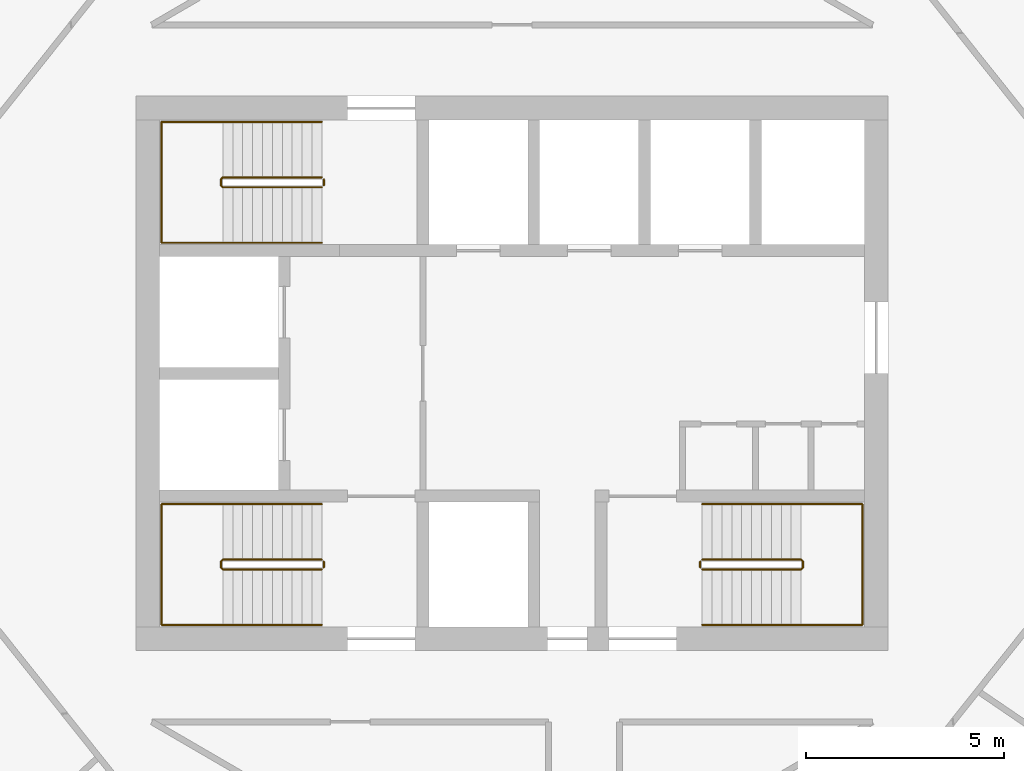
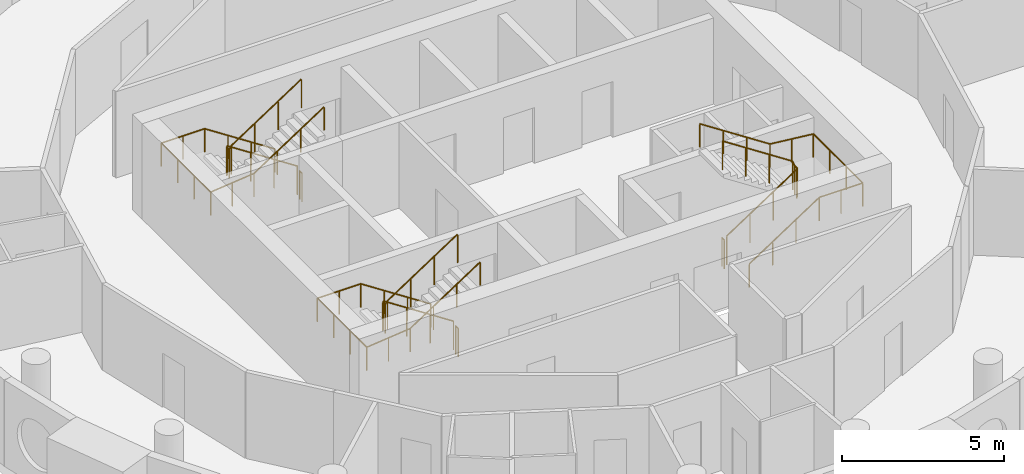
# One storey, part 13 of 13: 9 railings.
"""IFC4 building model written with IfcOpenShell, lengths in metres."""

from ifc_helpers import new_model, si_unit, direction, frame, origin, origin_2d, place, context, subcontext, project, spatial, circle, extrude, material, type_object, element, save


model = new_model("IFC4")

# Units and contexts
model_context = context("Model", 3, precision=1e-05, world=origin(), true_north=direction((0.0, 1.0)))
body_context = subcontext(model_context, "Body", "Model", "MODEL_VIEW")
ifc_project = project(units=[si_unit("LENGTHUNIT", "METRE"), si_unit("AREAUNIT", "SQUARE_METRE"), si_unit("VOLUMEUNIT", "CUBIC_METRE"), si_unit("PLANEANGLEUNIT", "RADIAN"), si_unit("MASSUNIT", "GRAM", prefix="KILO")], contexts=[model_context])

# Site, building, storey
site_placement = place(None, origin())
site = spatial("IfcSite", under=ifc_project, at=site_placement, CompositionType="ELEMENT")
building_placement = place(site_placement, origin())
building = spatial("IfcBuilding", under=site, at=building_placement, Name="Tracery Tower", CompositionType="ELEMENT")
storey_placement = place(building_placement, frame((0.0, 0.0, 301.800048828125)))
storey = spatial("IfcBuildingStorey", under=building, at=storey_placement, Name="L78", CompositionType="ELEMENT", Elevation=301.800048828125)

# Railings
ifc_material_1 = material(Name="Stainless steel and laminated glass", Category="steel")
railing_type_1 = type_object("IfcRailingType", Name="Stair guard 1100", PredefinedType="GUARDRAIL", material=ifc_material_1)
railing_1_placement = place(storey_placement, frame((-4.800048828125, -4.699951171875, 0.16357421875)))
element("IfcRailing", 1, at=railing_1_placement, inside=storey, type_object=railing_type_1, Name="L78 stair ST1 guard 1", PredefinedType="GUARDRAIL", context=body_context, shape_type="SweptSolid", body=[
    extrude(circle(Radius=0.02392578125, at=origin_2d()), frame((0.0, 0.0, 1.076171875), z_axis=(-0.83668449804, 0.0, 0.54768517484), x_axis=(0.0, -1.0, 0.0)), (0.0, 0.0, 1.0), 2.988037109375),
    extrude(circle(Radius=0.02392578125, at=origin_2d()), frame((-2.5, 0.0, 2.71240234375), z_axis=(-0.707106781187, -0.707106781187, 0.0), x_axis=(0.707106781187, -0.707106781187, 0.0)), (0.0, 0.0, 1.0), 0.07080078125),
    extrude(circle(Radius=0.02392578125, at=origin_2d()), frame((-2.550048828125, -0.050048828125, 2.71240234375), z_axis=(0.0, -1.0, 0.0), x_axis=(1.0, 0.0, 0.0)), (0.0, 0.0, 1.0), 0.14990234375),
    extrude(circle(Radius=0.02392578125, at=origin_2d()), frame((-2.550048828125, -0.199951171875, 2.71240234375), z_axis=(0.280808744504, -0.280808744504, 0.917765164963), x_axis=(0.707106781187, 0.707106781187, 0.0)), (0.0, 0.0, 1.0), 0.17822265625),
    extrude(circle(Radius=0.02392578125, at=origin_2d()), frame((-2.5, -0.25, 2.8759765625), z_axis=(0.836721939367, 0.0, 0.547627972425), x_axis=(0.0, 1.0, 0.0)), (0.0, 0.0, 1.0), 2.98779296875),
    extrude(circle(Radius=0.02099609375, at=origin_2d()), origin(), (0.0, 0.0, 1.0), 1.052001953125),
    extrude(circle(Radius=0.02099609375, at=origin_2d()), frame((-0.833251953125, 0.0, 0.54541015625)), (0.0, 0.0, 1.0), 1.052001953125),
    extrude(circle(Radius=0.02099609375, at=origin_2d()), frame((-1.666748046875, 0.0, 1.091064453125)), (0.0, 0.0, 1.0), 1.052001953125),
    extrude(circle(Radius=0.02099609375, at=origin_2d()), frame((-2.5, 0.0, 1.636474609375)), (0.0, 0.0, 1.0), 1.052001953125),
    extrude(circle(Radius=0.02099609375, at=origin_2d()), frame((-2.550048828125, -0.050048828125, 1.636474609375)), (0.0, 0.0, 1.0), 1.052001953125),
    extrude(circle(Radius=0.02099609375, at=origin_2d()), frame((-2.550048828125, -0.199951171875, 1.636474609375)), (0.0, 0.0, 1.0), 1.052001953125),
    extrude(circle(Radius=0.02099609375, at=origin_2d()), frame((-2.5, -0.25, 1.800048828125)), (0.0, 0.0, 1.0), 1.052001953125),
    extrude(circle(Radius=0.02099609375, at=origin_2d()), frame((-1.666748046875, -0.25, 2.345458984375)), (0.0, 0.0, 1.0), 1.052001953125),
    extrude(circle(Radius=0.02099609375, at=origin_2d()), frame((-0.833251953125, -0.25, 2.890869140625)), (0.0, 0.0, 1.0), 1.052001953125),
    extrude(circle(Radius=0.02099609375, at=origin_2d()), frame((0.0, -0.25, 3.436279296875)), (0.0, 0.0, 1.0), 1.052001953125),
])
railing_2_placement = place(storey_placement, frame((-4.75, -4.75, 0.0)))
element("IfcRailing", 2, at=railing_2_placement, inside=storey, type_object=railing_type_1, Name="L78 stair ST1 guard 2", PredefinedType="GUARDRAIL", context=body_context, shape_type="SweptSolid", body=[
    extrude(circle(Radius=0.02392578125, at=origin_2d()), frame((0.0, 0.0, 1.076171875), z_axis=(0.0, -1.0, 0.0), x_axis=(1.0, 0.0, 0.0)), (0.0, 0.0, 1.0), 0.14990234375),
    extrude(circle(Radius=0.02099609375, at=origin_2d()), origin(), (0.0, 0.0, 1.0), 1.052001953125),
    extrude(circle(Radius=0.02099609375, at=origin_2d()), frame((0.0, -0.14990234375, 0.0)), (0.0, 0.0, 1.0), 1.052001953125),
])
railing_3_placement = place(storey_placement, frame((-4.800048828125, 4.949951171875, 0.16357421875)))
element("IfcRailing", 3, at=railing_3_placement, inside=storey, type_object=railing_type_1, Name="L78 stair ST3 guard 1", PredefinedType="GUARDRAIL", context=body_context, shape_type="SweptSolid", body=[
    extrude(circle(Radius=0.02392578125, at=origin_2d()), frame((0.0, 0.0, 1.076171875), z_axis=(-0.83668449804, 0.0, 0.54768517484), x_axis=(0.0, -1.0, 0.0)), (0.0, 0.0, 1.0), 2.988037109375),
    extrude(circle(Radius=0.02392578125, at=origin_2d()), frame((-2.5, 0.0, 2.71240234375), z_axis=(-0.707106781187, -0.707106781187, 0.0), x_axis=(0.707106781187, -0.707106781187, 0.0)), (0.0, 0.0, 1.0), 0.07080078125),
    extrude(circle(Radius=0.02392578125, at=origin_2d()), frame((-2.550048828125, -0.050048828125, 2.71240234375), z_axis=(0.0, -1.0, 0.0), x_axis=(1.0, 0.0, 0.0)), (0.0, 0.0, 1.0), 0.14990234375),
    extrude(circle(Radius=0.02392578125, at=origin_2d()), frame((-2.550048828125, -0.199951171875, 2.71240234375), z_axis=(0.280808744504, -0.280808744504, 0.917765164963), x_axis=(0.707106781187, 0.707106781187, 0.0)), (0.0, 0.0, 1.0), 0.17822265625),
    extrude(circle(Radius=0.02392578125, at=origin_2d()), frame((-2.5, -0.25, 2.8759765625), z_axis=(0.836721939367, 0.0, 0.547627972425), x_axis=(0.0, 1.0, 0.0)), (0.0, 0.0, 1.0), 2.98779296875),
    extrude(circle(Radius=0.02099609375, at=origin_2d()), origin(), (0.0, 0.0, 1.0), 1.052001953125),
    extrude(circle(Radius=0.02099609375, at=origin_2d()), frame((-0.833251953125, 0.0, 0.54541015625)), (0.0, 0.0, 1.0), 1.052001953125),
    extrude(circle(Radius=0.02099609375, at=origin_2d()), frame((-1.666748046875, 0.0, 1.091064453125)), (0.0, 0.0, 1.0), 1.052001953125),
    extrude(circle(Radius=0.02099609375, at=origin_2d()), frame((-2.5, 0.0, 1.636474609375)), (0.0, 0.0, 1.0), 1.052001953125),
    extrude(circle(Radius=0.02099609375, at=origin_2d()), frame((-2.550048828125, -0.050048828125, 1.636474609375)), (0.0, 0.0, 1.0), 1.052001953125),
    extrude(circle(Radius=0.02099609375, at=origin_2d()), frame((-2.550048828125, -0.199951171875, 1.636474609375)), (0.0, 0.0, 1.0), 1.052001953125),
    extrude(circle(Radius=0.02099609375, at=origin_2d()), frame((-2.5, -0.25, 1.800048828125)), (0.0, 0.0, 1.0), 1.052001953125),
    extrude(circle(Radius=0.02099609375, at=origin_2d()), frame((-1.666748046875, -0.25, 2.345458984375)), (0.0, 0.0, 1.0), 1.052001953125),
    extrude(circle(Radius=0.02099609375, at=origin_2d()), frame((-0.833251953125, -0.25, 2.890869140625)), (0.0, 0.0, 1.0), 1.052001953125),
    extrude(circle(Radius=0.02099609375, at=origin_2d()), frame((0.0, -0.25, 3.436279296875)), (0.0, 0.0, 1.0), 1.052001953125),
])
railing_4_placement = place(storey_placement, frame((-4.75, 4.89990234375, 0.0)))
element("IfcRailing", 4, at=railing_4_placement, inside=storey, type_object=railing_type_1, Name="L78 stair ST3 guard 2", PredefinedType="GUARDRAIL", context=body_context, shape_type="SweptSolid", body=[
    extrude(circle(Radius=0.02392578125, at=origin_2d()), frame((0.0, 0.0, 1.076171875), z_axis=(0.0, -1.0, 0.0), x_axis=(1.0, 0.0, 0.0)), (0.0, 0.0, 1.0), 0.14990234375),
    extrude(circle(Radius=0.02099609375, at=origin_2d()), origin(), (0.0, 0.0, 1.0), 1.052001953125),
    extrude(circle(Radius=0.02099609375, at=origin_2d()), frame((0.0, -0.14990234375, 0.0)), (0.0, 0.0, 1.0), 1.052001953125),
])
railing_5_placement = place(storey_placement, frame((4.800048828125, -4.949951171875, 0.16357421875)))
element("IfcRailing", 5, at=railing_5_placement, inside=storey, type_object=railing_type_1, Name="L78 stair ST2 guard 1", PredefinedType="GUARDRAIL", context=body_context, shape_type="SweptSolid", body=[
    extrude(circle(Radius=0.02392578125, at=origin_2d()), frame((0.0, 0.0, 1.076171875), z_axis=(0.83668449804, 0.0, 0.54768517484), x_axis=(0.0, 1.0, 0.0)), (0.0, 0.0, 1.0), 2.988037109375),
    extrude(circle(Radius=0.02392578125, at=origin_2d()), frame((2.5, 0.0, 2.71240234375), z_axis=(0.707106781187, 0.707106781187, 0.0), x_axis=(-0.707106781187, 0.707106781187, 0.0)), (0.0, 0.0, 1.0), 0.07080078125),
    extrude(circle(Radius=0.02392578125, at=origin_2d()), frame((2.550048828125, 0.050048828125, 2.71240234375), z_axis=(0.0, 1.0, 0.0), x_axis=(-1.0, 0.0, 0.0)), (0.0, 0.0, 1.0), 0.14990234375),
    extrude(circle(Radius=0.02392578125, at=origin_2d()), frame((2.550048828125, 0.199951171875, 2.71240234375), z_axis=(-0.280808744504, 0.280808744504, 0.917765164963), x_axis=(-0.707106781187, -0.707106781187, 0.0)), (0.0, 0.0, 1.0), 0.17822265625),
    extrude(circle(Radius=0.02392578125, at=origin_2d()), frame((2.5, 0.25, 2.8759765625), z_axis=(-0.836721939367, 0.0, 0.547627972425), x_axis=(0.0, -1.0, 0.0)), (0.0, 0.0, 1.0), 2.98779296875),
    extrude(circle(Radius=0.02099609375, at=origin_2d()), origin(), (0.0, 0.0, 1.0), 1.052001953125),
    extrude(circle(Radius=0.02099609375, at=origin_2d()), frame((0.833251953125, 0.0, 0.54541015625)), (0.0, 0.0, 1.0), 1.052001953125),
    extrude(circle(Radius=0.02099609375, at=origin_2d()), frame((1.666748046875, 0.0, 1.091064453125)), (0.0, 0.0, 1.0), 1.052001953125),
    extrude(circle(Radius=0.02099609375, at=origin_2d()), frame((2.5, 0.0, 1.636474609375)), (0.0, 0.0, 1.0), 1.052001953125),
    extrude(circle(Radius=0.02099609375, at=origin_2d()), frame((2.550048828125, 0.050048828125, 1.636474609375)), (0.0, 0.0, 1.0), 1.052001953125),
    extrude(circle(Radius=0.02099609375, at=origin_2d()), frame((2.550048828125, 0.199951171875, 1.636474609375)), (0.0, 0.0, 1.0), 1.052001953125),
    extrude(circle(Radius=0.02099609375, at=origin_2d()), frame((2.5, 0.25, 1.800048828125)), (0.0, 0.0, 1.0), 1.052001953125),
    extrude(circle(Radius=0.02099609375, at=origin_2d()), frame((1.666748046875, 0.25, 2.345458984375)), (0.0, 0.0, 1.0), 1.052001953125),
    extrude(circle(Radius=0.02099609375, at=origin_2d()), frame((0.833251953125, 0.25, 2.890869140625)), (0.0, 0.0, 1.0), 1.052001953125),
    extrude(circle(Radius=0.02099609375, at=origin_2d()), frame((0.0, 0.25, 3.436279296875)), (0.0, 0.0, 1.0), 1.052001953125),
])
railing_6_placement = place(storey_placement, frame((4.75, -4.89990234375, 0.0)))
element("IfcRailing", 6, at=railing_6_placement, inside=storey, type_object=railing_type_1, Name="L78 stair ST2 guard 2", PredefinedType="GUARDRAIL", context=body_context, shape_type="SweptSolid", body=[
    extrude(circle(Radius=0.02392578125, at=origin_2d()), frame((0.0, 0.0, 1.076171875), z_axis=(0.0, 1.0, 0.0), x_axis=(-1.0, 0.0, 0.0)), (0.0, 0.0, 1.0), 0.14990234375),
    extrude(circle(Radius=0.02099609375, at=origin_2d()), origin(), (0.0, 0.0, 1.0), 1.052001953125),
    extrude(circle(Radius=0.02099609375, at=origin_2d()), frame((0.0, 0.14990234375, 0.0)), (0.0, 0.0, 1.0), 1.052001953125),
])
ifc_material_2 = material(Name="Stainless steel and laminated glass", Category="steel")
railing_type_2 = type_object("IfcRailingType", Name="Stair handrail 900", PredefinedType="HANDRAIL", material=ifc_material_2)
railing_7_placement = place(storey_placement, frame((-4.800048828125, -3.300048828125, 0.16357421875)))
element("IfcRailing", 7, at=railing_7_placement, inside=storey, type_object=railing_type_2, Name="L78 stair ST1 handrail 1", PredefinedType="HANDRAIL", context=body_context, shape_type="SweptSolid", body=[
    extrude(circle(Radius=0.02392578125, at=origin_2d()), frame((0.0, 0.0, 0.8759765625), z_axis=(-0.83668449804, 0.0, 0.54768517484), x_axis=(0.0, -1.0, 0.0)), (0.0, 0.0, 1.0), 2.988037109375),
    extrude(circle(Radius=0.02392578125, at=origin_2d()), frame((-2.5, 0.0, 2.51220703125), z_axis=(-1.0, 0.0, 0.0), x_axis=(0.0, -1.0, 0.0)), (0.0, 0.0, 1.0), 1.550048828125),
    extrude(circle(Radius=0.02392578125, at=origin_2d()), frame((-4.050048828125, 0.0, 2.51220703125), z_axis=(0.0, -1.0, 0.0), x_axis=(1.0, 0.0, 0.0)), (0.0, 0.0, 1.0), 3.050048828125),
    extrude(circle(Radius=0.02392578125, at=origin_2d()), frame((-4.050048828125, -3.050048828125, 2.51220703125), z_axis=(0.994477953863, 0.0, 0.104945696817), x_axis=(0.0, 1.0, 0.0)), (0.0, 0.0, 1.0), 1.55859375),
    extrude(circle(Radius=0.02392578125, at=origin_2d()), frame((-2.5, -3.050048828125, 2.67578125), z_axis=(0.836721939367, 0.0, 0.547627972425), x_axis=(0.0, 1.0, 0.0)), (0.0, 0.0, 1.0), 2.98779296875),
    extrude(circle(Radius=0.02099609375, at=origin_2d()), origin(), (0.0, 0.0, 1.0), 0.851806640625),
    extrude(circle(Radius=0.02099609375, at=origin_2d()), frame((-0.833251953125, 0.0, 0.54541015625)), (0.0, 0.0, 1.0), 0.851806640625),
    extrude(circle(Radius=0.02099609375, at=origin_2d()), frame((-1.666748046875, 0.0, 1.091064453125)), (0.0, 0.0, 1.0), 0.851806640625),
    extrude(circle(Radius=0.02099609375, at=origin_2d()), frame((-2.5, 0.0, 1.636474609375)), (0.0, 0.0, 1.0), 0.851806640625),
    extrude(circle(Radius=0.02099609375, at=origin_2d()), frame((-3.27490234375, 0.0, 1.636474609375)), (0.0, 0.0, 1.0), 0.851806640625),
    extrude(circle(Radius=0.02099609375, at=origin_2d()), frame((-4.050048828125, 0.0, 1.636474609375)), (0.0, 0.0, 1.0), 0.851806640625),
    extrude(circle(Radius=0.02099609375, at=origin_2d()), frame((-4.050048828125, -1.0166015625, 1.636474609375)), (0.0, 0.0, 1.0), 0.851806640625),
    extrude(circle(Radius=0.02099609375, at=origin_2d()), frame((-4.050048828125, -2.033447265625, 1.636474609375)), (0.0, 0.0, 1.0), 0.851806640625),
    extrude(circle(Radius=0.02099609375, at=origin_2d()), frame((-4.050048828125, -3.050048828125, 1.636474609375)), (0.0, 0.0, 1.0), 0.851806640625),
    extrude(circle(Radius=0.02099609375, at=origin_2d()), frame((-3.27490234375, -3.050048828125, 1.71826171875)), (0.0, 0.0, 1.0), 0.851806640625),
    extrude(circle(Radius=0.02099609375, at=origin_2d()), frame((-2.5, -3.050048828125, 1.800048828125)), (0.0, 0.0, 1.0), 0.851806640625),
    extrude(circle(Radius=0.02099609375, at=origin_2d()), frame((-1.666748046875, -3.050048828125, 2.345458984375)), (0.0, 0.0, 1.0), 0.851806640625),
    extrude(circle(Radius=0.02099609375, at=origin_2d()), frame((-0.833251953125, -3.050048828125, 2.890869140625)), (0.0, 0.0, 1.0), 0.851806640625),
    extrude(circle(Radius=0.02099609375, at=origin_2d()), frame((0.0, -3.050048828125, 3.436279296875)), (0.0, 0.0, 1.0), 0.851806640625),
])
railing_8_placement = place(storey_placement, frame((-4.800048828125, 6.35009765625, 0.16357421875)))
element("IfcRailing", 8, at=railing_8_placement, inside=storey, type_object=railing_type_2, Name="L78 stair ST3 handrail 1", PredefinedType="HANDRAIL", context=body_context, shape_type="SweptSolid", body=[
    extrude(circle(Radius=0.02392578125, at=origin_2d()), frame((0.0, 0.0, 0.8759765625), z_axis=(-0.83668449804, 0.0, 0.54768517484), x_axis=(0.0, -1.0, 0.0)), (0.0, 0.0, 1.0), 2.988037109375),
    extrude(circle(Radius=0.02392578125, at=origin_2d()), frame((-2.5, 0.0, 2.51220703125), z_axis=(-1.0, 0.0, 0.0), x_axis=(0.0, -1.0, 0.0)), (0.0, 0.0, 1.0), 1.550048828125),
    extrude(circle(Radius=0.02392578125, at=origin_2d()), frame((-4.050048828125, 0.0, 2.51220703125), z_axis=(0.0, -1.0, 0.0), x_axis=(1.0, 0.0, 0.0)), (0.0, 0.0, 1.0), 3.050048828125),
    extrude(circle(Radius=0.02392578125, at=origin_2d()), frame((-4.050048828125, -3.050048828125, 2.51220703125), z_axis=(0.994477953863, 0.0, 0.104945696817), x_axis=(0.0, 1.0, 0.0)), (0.0, 0.0, 1.0), 1.55859375),
    extrude(circle(Radius=0.02392578125, at=origin_2d()), frame((-2.5, -3.050048828125, 2.67578125), z_axis=(0.836721939367, 0.0, 0.547627972425), x_axis=(0.0, 1.0, 0.0)), (0.0, 0.0, 1.0), 2.98779296875),
    extrude(circle(Radius=0.02099609375, at=origin_2d()), origin(), (0.0, 0.0, 1.0), 0.851806640625),
    extrude(circle(Radius=0.02099609375, at=origin_2d()), frame((-0.833251953125, 0.0, 0.54541015625)), (0.0, 0.0, 1.0), 0.851806640625),
    extrude(circle(Radius=0.02099609375, at=origin_2d()), frame((-1.666748046875, 0.0, 1.091064453125)), (0.0, 0.0, 1.0), 0.851806640625),
    extrude(circle(Radius=0.02099609375, at=origin_2d()), frame((-2.5, 0.0, 1.636474609375)), (0.0, 0.0, 1.0), 0.851806640625),
    extrude(circle(Radius=0.02099609375, at=origin_2d()), frame((-3.27490234375, 0.0, 1.636474609375)), (0.0, 0.0, 1.0), 0.851806640625),
    extrude(circle(Radius=0.02099609375, at=origin_2d()), frame((-4.050048828125, 0.0, 1.636474609375)), (0.0, 0.0, 1.0), 0.851806640625),
    extrude(circle(Radius=0.02099609375, at=origin_2d()), frame((-4.050048828125, -1.0166015625, 1.636474609375)), (0.0, 0.0, 1.0), 0.851806640625),
    extrude(circle(Radius=0.02099609375, at=origin_2d()), frame((-4.050048828125, -2.033447265625, 1.636474609375)), (0.0, 0.0, 1.0), 0.851806640625),
    extrude(circle(Radius=0.02099609375, at=origin_2d()), frame((-4.050048828125, -3.050048828125, 1.636474609375)), (0.0, 0.0, 1.0), 0.851806640625),
    extrude(circle(Radius=0.02099609375, at=origin_2d()), frame((-3.27490234375, -3.050048828125, 1.71826171875)), (0.0, 0.0, 1.0), 0.851806640625),
    extrude(circle(Radius=0.02099609375, at=origin_2d()), frame((-2.5, -3.050048828125, 1.800048828125)), (0.0, 0.0, 1.0), 0.851806640625),
    extrude(circle(Radius=0.02099609375, at=origin_2d()), frame((-1.666748046875, -3.050048828125, 2.345458984375)), (0.0, 0.0, 1.0), 0.851806640625),
    extrude(circle(Radius=0.02099609375, at=origin_2d()), frame((-0.833251953125, -3.050048828125, 2.890869140625)), (0.0, 0.0, 1.0), 0.851806640625),
    extrude(circle(Radius=0.02099609375, at=origin_2d()), frame((0.0, -3.050048828125, 3.436279296875)), (0.0, 0.0, 1.0), 0.851806640625),
])
railing_9_placement = place(storey_placement, frame((4.800048828125, -6.35009765625, 0.16357421875)))
element("IfcRailing", 9, at=railing_9_placement, inside=storey, type_object=railing_type_2, Name="L78 stair ST2 handrail 1", PredefinedType="HANDRAIL", context=body_context, shape_type="SweptSolid", body=[
    extrude(circle(Radius=0.02392578125, at=origin_2d()), frame((0.0, 0.0, 0.8759765625), z_axis=(0.83668449804, 0.0, 0.54768517484), x_axis=(0.0, 1.0, 0.0)), (0.0, 0.0, 1.0), 2.988037109375),
    extrude(circle(Radius=0.02392578125, at=origin_2d()), frame((2.5, 0.0, 2.51220703125), z_axis=(1.0, 0.0, 0.0), x_axis=(0.0, 1.0, 0.0)), (0.0, 0.0, 1.0), 1.550048828125),
    extrude(circle(Radius=0.02392578125, at=origin_2d()), frame((4.050048828125, 0.0, 2.51220703125), z_axis=(0.0, 1.0, 0.0), x_axis=(-1.0, 0.0, 0.0)), (0.0, 0.0, 1.0), 3.050048828125),
    extrude(circle(Radius=0.02392578125, at=origin_2d()), frame((4.050048828125, 3.050048828125, 2.51220703125), z_axis=(-0.994477953863, 0.0, 0.104945696817), x_axis=(0.0, -1.0, 0.0)), (0.0, 0.0, 1.0), 1.55859375),
    extrude(circle(Radius=0.02392578125, at=origin_2d()), frame((2.5, 3.050048828125, 2.67578125), z_axis=(-0.836721939367, 0.0, 0.547627972425), x_axis=(0.0, -1.0, 0.0)), (0.0, 0.0, 1.0), 2.98779296875),
    extrude(circle(Radius=0.02099609375, at=origin_2d()), origin(), (0.0, 0.0, 1.0), 0.851806640625),
    extrude(circle(Radius=0.02099609375, at=origin_2d()), frame((0.833251953125, 0.0, 0.54541015625)), (0.0, 0.0, 1.0), 0.851806640625),
    extrude(circle(Radius=0.02099609375, at=origin_2d()), frame((1.666748046875, 0.0, 1.091064453125)), (0.0, 0.0, 1.0), 0.851806640625),
    extrude(circle(Radius=0.02099609375, at=origin_2d()), frame((2.5, 0.0, 1.636474609375)), (0.0, 0.0, 1.0), 0.851806640625),
    extrude(circle(Radius=0.02099609375, at=origin_2d()), frame((3.27490234375, 0.0, 1.636474609375)), (0.0, 0.0, 1.0), 0.851806640625),
    extrude(circle(Radius=0.02099609375, at=origin_2d()), frame((4.050048828125, 0.0, 1.636474609375)), (0.0, 0.0, 1.0), 0.851806640625),
    extrude(circle(Radius=0.02099609375, at=origin_2d()), frame((4.050048828125, 1.0166015625, 1.636474609375)), (0.0, 0.0, 1.0), 0.851806640625),
    extrude(circle(Radius=0.02099609375, at=origin_2d()), frame((4.050048828125, 2.033447265625, 1.636474609375)), (0.0, 0.0, 1.0), 0.851806640625),
    extrude(circle(Radius=0.02099609375, at=origin_2d()), frame((4.050048828125, 3.050048828125, 1.636474609375)), (0.0, 0.0, 1.0), 0.851806640625),
    extrude(circle(Radius=0.02099609375, at=origin_2d()), frame((3.27490234375, 3.050048828125, 1.71826171875)), (0.0, 0.0, 1.0), 0.851806640625),
    extrude(circle(Radius=0.02099609375, at=origin_2d()), frame((2.5, 3.050048828125, 1.800048828125)), (0.0, 0.0, 1.0), 0.851806640625),
    extrude(circle(Radius=0.02099609375, at=origin_2d()), frame((1.666748046875, 3.050048828125, 2.345458984375)), (0.0, 0.0, 1.0), 0.851806640625),
    extrude(circle(Radius=0.02099609375, at=origin_2d()), frame((0.833251953125, 3.050048828125, 2.890869140625)), (0.0, 0.0, 1.0), 0.851806640625),
    extrude(circle(Radius=0.02099609375, at=origin_2d()), frame((0.0, 3.050048828125, 3.436279296875)), (0.0, 0.0, 1.0), 0.851806640625),
])

save(model, "model.ifc")
